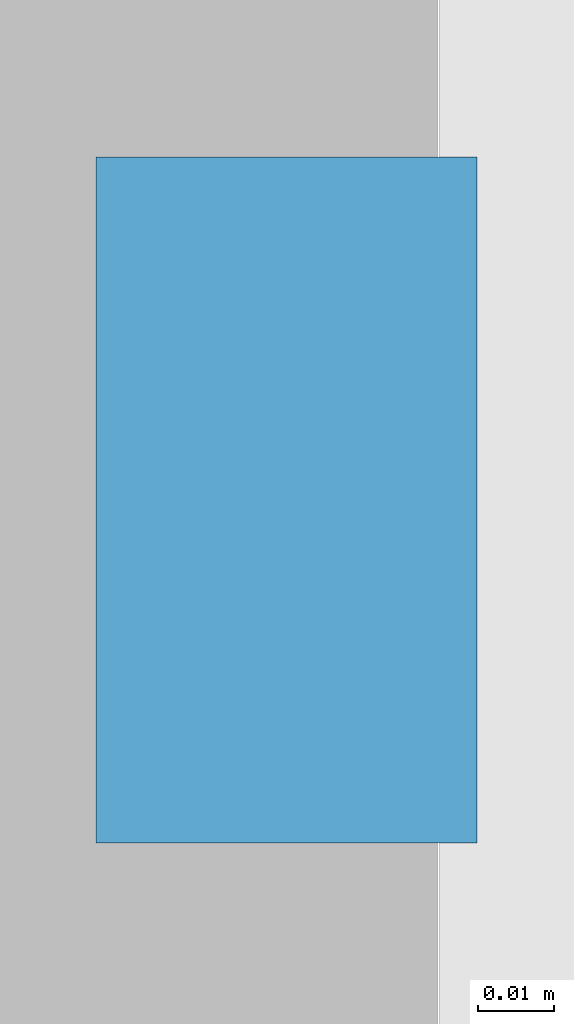
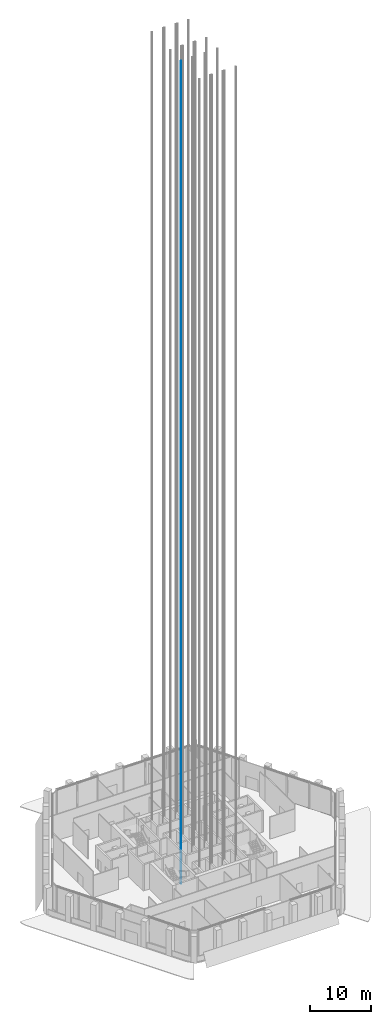
# One storey, part 21 of 42: 1 discrete accessory.
"""IFC4 building model written with IfcOpenShell, lengths in metres."""

from ifc_helpers import new_model, si_unit, direction, frame, origin, origin_2d, place, context, subcontext, project, spatial, rectangle, extrude, element, save


model = new_model("IFC4")

# Units and contexts
model_context = context("Model", 3, precision=1e-05, world=origin(), true_north=direction((0.0, 1.0)))
body_context = subcontext(model_context, "Body", "Model", "MODEL_VIEW")
ifc_project = project(units=[si_unit("LENGTHUNIT", "METRE"), si_unit("AREAUNIT", "SQUARE_METRE"), si_unit("VOLUMEUNIT", "CUBIC_METRE"), si_unit("PLANEANGLEUNIT", "RADIAN"), si_unit("MASSUNIT", "GRAM", prefix="KILO")], contexts=[model_context])

# Site, building, storey
site_placement = place(None, origin())
site = spatial("IfcSite", under=ifc_project, at=site_placement, CompositionType="ELEMENT")
building_placement = place(site_placement, origin())
building = spatial("IfcBuilding", under=site, at=building_placement, Name="Kolab Exchange Tower", CompositionType="ELEMENT")
storey_placement = place(building_placement, frame((0.0, 0.0, 133.39990234375)))
storey = spatial("IfcBuildingStorey", under=building, at=storey_placement, Name="L26", CompositionType="ELEMENT", Elevation=133.39990234375)

# Discrete accessory
discrete_accessory_placement = place(storey_placement, frame((-3.469970703125, -1.800048828125, -1.599853515625), z_axis=(0.0, 0.0, 1.0), x_axis=(1.0, 0.0, 0.0)))
element("IfcDiscreteAccessory", 1, at=discrete_accessory_placement, inside=storey, Name="Guide rail HR7-1", ObjectType="GUIDE RAIL", PredefinedType="USERDEFINED", context=body_context, shape_type="SweptSolid", body=[
    extrude(rectangle(XDim=0.050048828125, YDim=0.090087890625, at=origin_2d()), origin(), (0.0, 0.0, 1.0), 165.60009765625),
])

save(model, "model.ifc")
